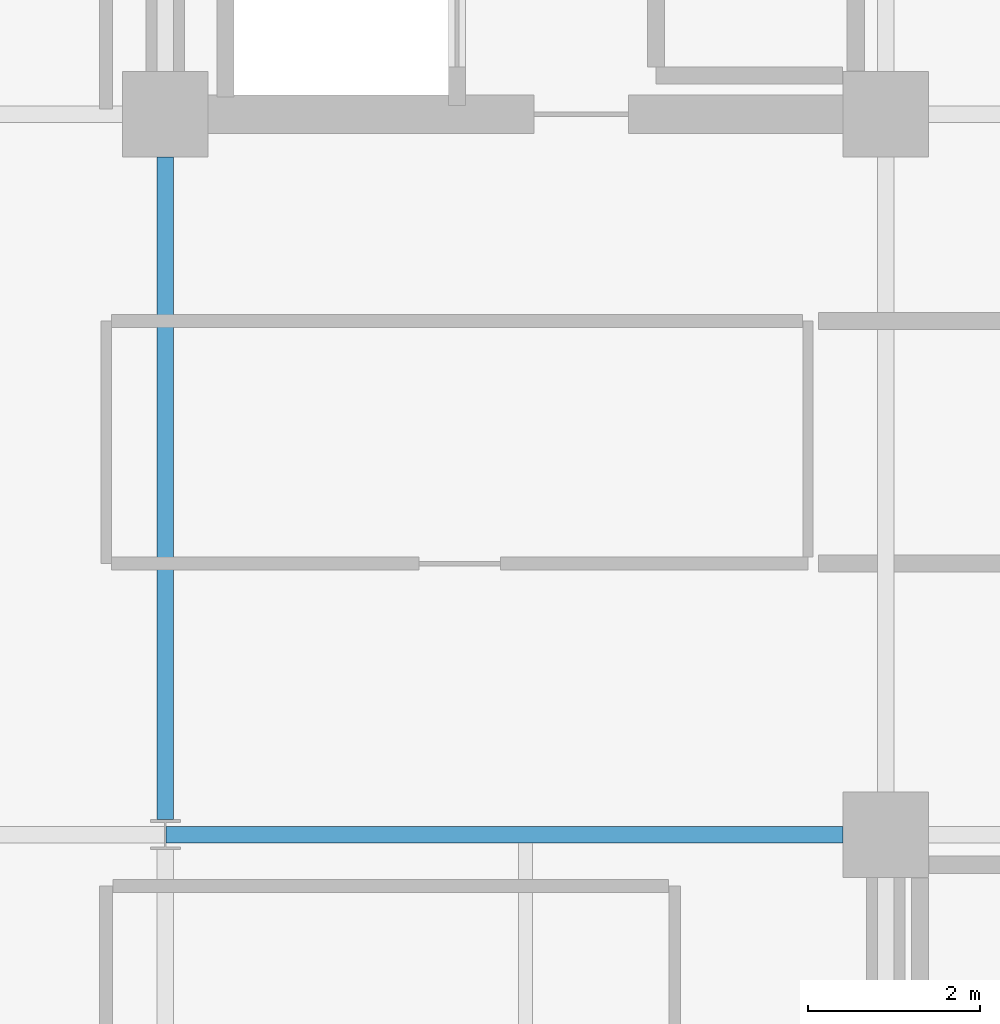
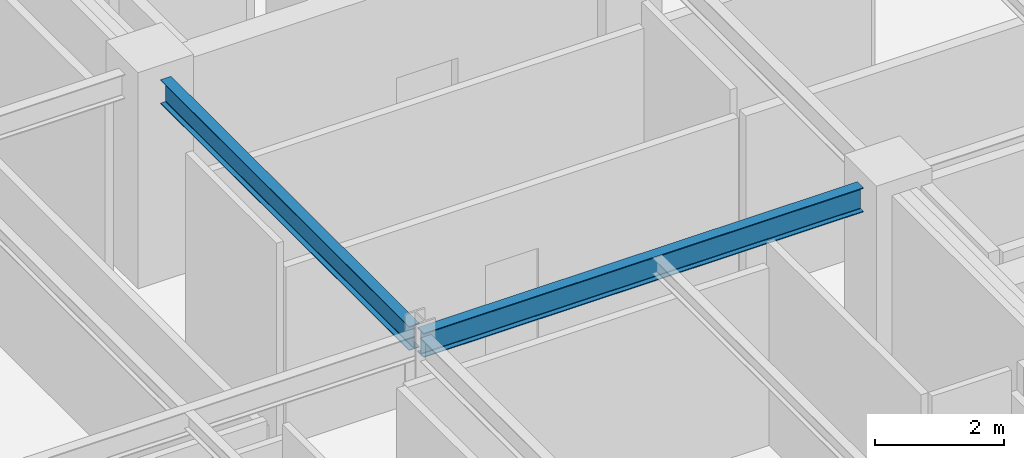
# One storey, part 9 of 25: 2 beams.
"""IFC4 building model written with IfcOpenShell, lengths in metres."""

import ifcopenshell
import ifcopenshell.guid

model = None  # the IFC model being written
_history = None  # IfcOwnerHistory: only IFC2X3 demands one
_inside = {}  # id of a spatial element -> (the spatial element, [elements in it])
_under = {}  # id of a project, library or spatial element -> (it, [spatial elements below it])
_declared = {}  # id of a project -> (the project, [libraries it declares])
_typed = {}  # id of a type object -> (the type object, [elements of that type])
_made_of = {}  # id of a material, layer set ... -> (it, [elements and type objects made of it])


def new_model(schema):
    """Start an empty IFC model of exactly this schema.

    Asked for "IFC4X3", IfcOpenShell would pick the latest addendum, in which some entities
    have other attributes; the version numbers below select the first issue.
    IFC2X3 requires an IfcOwnerHistory on every rooted entity: one is made here for all.
    """
    global model, _history
    if schema == "IFC4X3":
        model = ifcopenshell.file(schema_version=(4, 3, 0, 0))
    else:
        model = ifcopenshell.file(schema=schema)
    _inside.clear()
    _under.clear()
    _declared.clear()
    _typed.clear()
    _made_of.clear()
    _history = None
    if model.schema == "IFC2X3":
        org = make("IfcOrganization", Name="unknown")
        user = make(
            "IfcPersonAndOrganization",
            ThePerson=make("IfcPerson", FamilyName="unknown"),
            TheOrganization=org,
        )
        app = make(
            "IfcApplication",
            ApplicationDeveloper=org,
            Version="unknown",
            ApplicationFullName="unknown",
            ApplicationIdentifier="unknown",
        )
        _history = make(
            "IfcOwnerHistory",
            OwningUser=user,
            OwningApplication=app,
            ChangeAction="ADDED",
            CreationDate=0,
        )
    return model


def make(cls, **values):
    """One entity of the class cls with the attributes given. An attribute that is None is left unset."""
    return model.create_entity(
        cls, **{name: value for name, value in values.items() if value is not None}
    )


def rooted(cls, **values):
    """An entity with a GlobalId (a new one), such as an element, a storey or a relation."""
    return make(cls, GlobalId=ifcopenshell.guid.new(), OwnerHistory=_history, **values)


def si_unit(unit_type, name, prefix=None):
    """IfcSIUnit, for example si_unit("LENGTHUNIT", "METRE", prefix="MILLI")."""
    return make("IfcSIUnit", UnitType=unit_type, Prefix=prefix, Name=name)


def assignment(units):
    """IfcUnitAssignment: the units of a project."""
    return None if units is None else make("IfcUnitAssignment", Units=units)


def point(xyz):
    """IfcCartesianPoint."""
    return None if xyz is None else make("IfcCartesianPoint", Coordinates=xyz)


def direction(xyz):
    """IfcDirection."""
    return None if xyz is None else make("IfcDirection", DirectionRatios=xyz)


def frame(location, z_axis=None, x_axis=None):
    """IfcAxis2Placement3D, a coordinate frame: its origin and axes. An axis left out is left unset."""
    return make(
        "IfcAxis2Placement3D",
        Location=point(location),
        Axis=direction(z_axis),
        RefDirection=direction(x_axis),
    )


def frame_2d(location, x_axis=None):
    """IfcAxis2Placement2D, a coordinate frame in the plane: its origin and x axis."""
    return make(
        "IfcAxis2Placement2D", Location=point(location), RefDirection=direction(x_axis)
    )


def origin():
    """The frame at (0, 0, 0) with its axes left unset."""
    return frame((0.0, 0.0, 0.0))


def origin_2d():
    """The frame at (0, 0) in the plane with its x axis left unset."""
    return frame_2d((0.0, 0.0))


def place(relative_to, where):
    """IfcLocalPlacement: puts the frame where relative to a parent placement (None: the world)."""
    return make(
        "IfcLocalPlacement", PlacementRelTo=relative_to, RelativePlacement=where
    )


def context(
    kind, dimensions, precision=None, world=None, true_north=None, identifier=None
):
    """IfcGeometricRepresentationContext, for example the 3D "Model" context."""
    return make(
        "IfcGeometricRepresentationContext",
        ContextIdentifier=identifier,
        ContextType=kind,
        CoordinateSpaceDimension=dimensions,
        Precision=precision,
        WorldCoordinateSystem=world,
        TrueNorth=true_north,
    )


def subcontext(parent, identifier, kind, view, scale=None):
    """IfcGeometricRepresentationSubContext, for example "Body" below "Model"."""
    return make(
        "IfcGeometricRepresentationSubContext",
        ContextIdentifier=identifier,
        ContextType=kind,
        ParentContext=parent,
        TargetScale=scale,
        TargetView=view,
    )


def project(units=None, contexts=None):
    """IfcProject with its units and contexts."""
    return rooted(
        "IfcProject",
        Name="project",
        RepresentationContexts=contexts,
        UnitsInContext=assignment(units),
    )


def spatial(cls, under=None, at=None, **own):
    """A site, building, storey or space (cls), placed at a placement, below another one or the project."""
    s = rooted(cls, ObjectPlacement=at, **own)
    if under is not None:
        _under.setdefault(under.id(), (under, []))[1].append(s)
    return s


def profile(cls, at=None, kind="AREA", **sizes):
    """A parametric profile (cls). Its sizes go by their IFC names, for example OverallWidth=200.0."""
    return make(cls, ProfileType=kind, Position=at, **sizes)


def i_section(**sizes):
    """IfcIShapeProfileDef."""
    return profile("IfcIShapeProfileDef", **sizes)


def extrude(swept, where, along, depth):
    """IfcExtrudedAreaSolid: the profile swept, set in the frame where, extruded along a direction by depth."""
    return make(
        "IfcExtrudedAreaSolid",
        SweptArea=swept,
        Position=where,
        ExtrudedDirection=direction(along),
        Depth=depth,
    )


def shape(context_of_items, identifier, shape_type, items):
    """IfcShapeRepresentation: the items that make up one representation, for example the "Body"."""
    return make(
        "IfcShapeRepresentation",
        ContextOfItems=context_of_items,
        RepresentationIdentifier=identifier,
        RepresentationType=shape_type,
        Items=items,
    )


def material(Name=None, Category=None):
    """IfcMaterial."""
    return make("IfcMaterial", Name=Name, Category=Category)


def material_profile(
    of_material, cross_section, Name=None, Category=None, Priority=None
):
    """IfcMaterialProfile: a cross section and its material."""
    return make(
        "IfcMaterialProfile",
        Name=Name,
        Material=of_material,
        Profile=cross_section,
        Priority=Priority,
        Category=Category,
    )


def profile_set(profiles, Name=None, composite=None):
    """IfcMaterialProfileSet."""
    return make(
        "IfcMaterialProfileSet",
        Name=Name,
        MaterialProfiles=profiles,
        CompositeProfile=composite,
    )


def made_of(thing, what):
    """Note that an element or type object is made of a material, layer set ...; save() writes the relation."""
    if what is not None:
        _made_of.setdefault(what.id(), (what, []))[1].append(thing)
    return thing


def type_object(cls, material=None, **own):
    """A type object (cls), such as IfcWallType, which elements share."""
    return made_of(rooted(cls, **own), material)


def element(
    cls,
    number,
    at=None,
    inside=None,
    cuts=None,
    type_object=None,
    material=None,
    context=None,
    identifier="Body",
    shape_type=None,
    held_by="IfcProductDefinitionShape",
    body=None,
    shapes=None,
    **own,
):
    """One element of the class cls, such as IfcWall. Its Tag is "e" and its number.

    at: its placement. inside: the storey or other place that contains it. cuts: it is an
    opening in that element (IfcRelVoidsElement). A single representation is given by context,
    identifier, shape_type and body (its items); several are given by shapes. held_by: the class
    of the entity that holds the representations. save() writes the other relations.
    """
    e = rooted(cls, Tag="e%d" % number, ObjectPlacement=at, **own)
    if body is not None:
        shapes = [shape(context, identifier, shape_type, body)]
    if shapes is not None:
        e.Representation = make(held_by, Representations=shapes)
    if inside is not None:
        _inside.setdefault(inside.id(), (inside, []))[1].append(e)
    if cuts is not None:
        rooted(
            "IfcRelVoidsElement", RelatingBuildingElement=cuts, RelatedOpeningElement=e
        )
    if type_object is not None:
        _typed.setdefault(type_object.id(), (type_object, []))[1].append(e)
    return made_of(e, material)


def aggregate(whole, parts):
    """IfcRelAggregates: a whole, such as a stair, and the parts it consists of."""
    return rooted("IfcRelAggregates", RelatingObject=whole, RelatedObjects=parts)


def save(model, path):
    """Write the relations noted so far, then the file.

    IfcRelAggregates (storeys below a building ...), IfcRelContainedInSpatialStructure (elements
    in a storey), IfcRelDefinesByType, IfcRelAssociatesMaterial and IfcRelDeclares: one each for
    every whole, place, type object, material and project.
    """
    for whole, parts in _under.values():
        aggregate(whole, parts)
    for where, things in _inside.values():
        rooted(
            "IfcRelContainedInSpatialStructure",
            RelatedElements=things,
            RelatingStructure=where,
        )
    for kind, things in _typed.values():
        rooted("IfcRelDefinesByType", RelatedObjects=things, RelatingType=kind)
    for what, things in _made_of.values():
        rooted("IfcRelAssociatesMaterial", RelatedObjects=things, RelatingMaterial=what)
    for by, libraries in _declared.values():
        rooted("IfcRelDeclares", RelatingContext=by, RelatedDefinitions=libraries)
    model.write(path)


model = new_model("IFC4")

# Units and contexts
model_context = context("Model", 3, precision=1e-05, world=origin(), true_north=direction((0.0, 1.0)))
body_context = subcontext(model_context, "Body", "Model", "MODEL_VIEW")
ifc_project = project(units=[si_unit("LENGTHUNIT", "METRE"), si_unit("AREAUNIT", "SQUARE_METRE"), si_unit("VOLUMEUNIT", "CUBIC_METRE"), si_unit("PLANEANGLEUNIT", "RADIAN"), si_unit("MASSUNIT", "GRAM", prefix="KILO")], contexts=[model_context])

# Site, building, storey
site_placement = place(None, origin())
site = spatial("IfcSite", under=ifc_project, at=site_placement, CompositionType="ELEMENT")
building_placement = place(site_placement, origin())
building = spatial("IfcBuilding", under=site, at=building_placement, Name="Nerrivon Quay Data Exchange", CompositionType="ELEMENT")
storey_placement = place(building_placement, frame((0.0, 0.0, 232.89990234375)))
storey = spatial("IfcBuildingStorey", under=building, at=storey_placement, Name="L55", CompositionType="ELEMENT", Elevation=232.89990234375)

# Beams
ifc_material = material(Name="Steel Grade 350", Category="steel")
ifc_material_profile_1 = material_profile(ifc_material, i_section(OverallWidth=0.19091796875, OverallDepth=0.4599609375, WebThickness=0.010009765625, FlangeThickness=0.01611328125, FilletRadius=0.011474609375, at=origin_2d()), Name="460UB82.1")
ifc_profile_set_1 = profile_set([ifc_material_profile_1], Name="Steel Grade 350")
beam_type_1 = type_object("IfcBeamType", Name="BM-G5-460UB82", PredefinedType="BEAM", material=ifc_profile_set_1)
beam_1_placement = place(storey_placement, frame((8.409912109375, 16.800048828125, 3.59521484375), z_axis=(1.0, 0.0, 0.0), x_axis=(0.0, 1.0, 0.0)))
element("IfcBeam", 1, at=beam_1_placement, inside=storey, type_object=beam_type_1, Name="L55 EW Girder Y=16.8 (8.4..16.8)", PredefinedType="BEAM", context=body_context, shape_type="SweptSolid", body=[
    extrude(i_section(OverallWidth=0.19091796875, OverallDepth=0.4599609375, WebThickness=0.010009765625, FlangeThickness=0.01611328125, FilletRadius=0.011474609375, at=origin_2d()), origin(), (0.0, 0.0, 1.0), 7.89013671875),
])
ifc_material_profile_2 = material_profile(ifc_material, i_section(OverallWidth=0.18994140625, OverallDepth=0.4541015625, WebThickness=0.008544921875, FlangeThickness=0.0126953125, FilletRadius=0.011474609375, at=origin_2d()), Name="460UB67.1")
ifc_profile_set_2 = profile_set([ifc_material_profile_2], Name="Steel Grade 350")
beam_type_2 = type_object("IfcBeamType", Name="BM-G6-460UB67", PredefinedType="BEAM", material=ifc_profile_set_2)
beam_2_placement = place(storey_placement, frame((8.39990234375, 16.97509765625, 3.59814453125), z_axis=(0.0, 1.0, 0.0), x_axis=(-1.0, 0.0, 0.0)))
element("IfcBeam", 2, at=beam_2_placement, inside=storey, type_object=beam_type_2, Name="L55 NS Girder X=8.4 (16.8..25.2)", PredefinedType="BEAM", context=body_context, shape_type="SweptSolid", body=[
    extrude(i_section(OverallWidth=0.18994140625, OverallDepth=0.4541015625, WebThickness=0.008544921875, FlangeThickness=0.0126953125, FilletRadius=0.011474609375, at=origin_2d()), origin(), (0.0, 0.0, 1.0), 7.724853515625),
])

save(model, "model.ifc")
